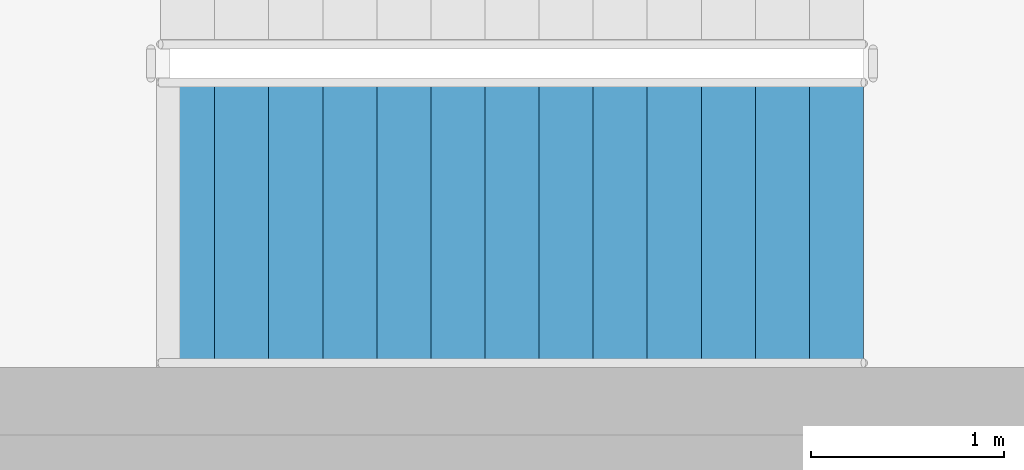
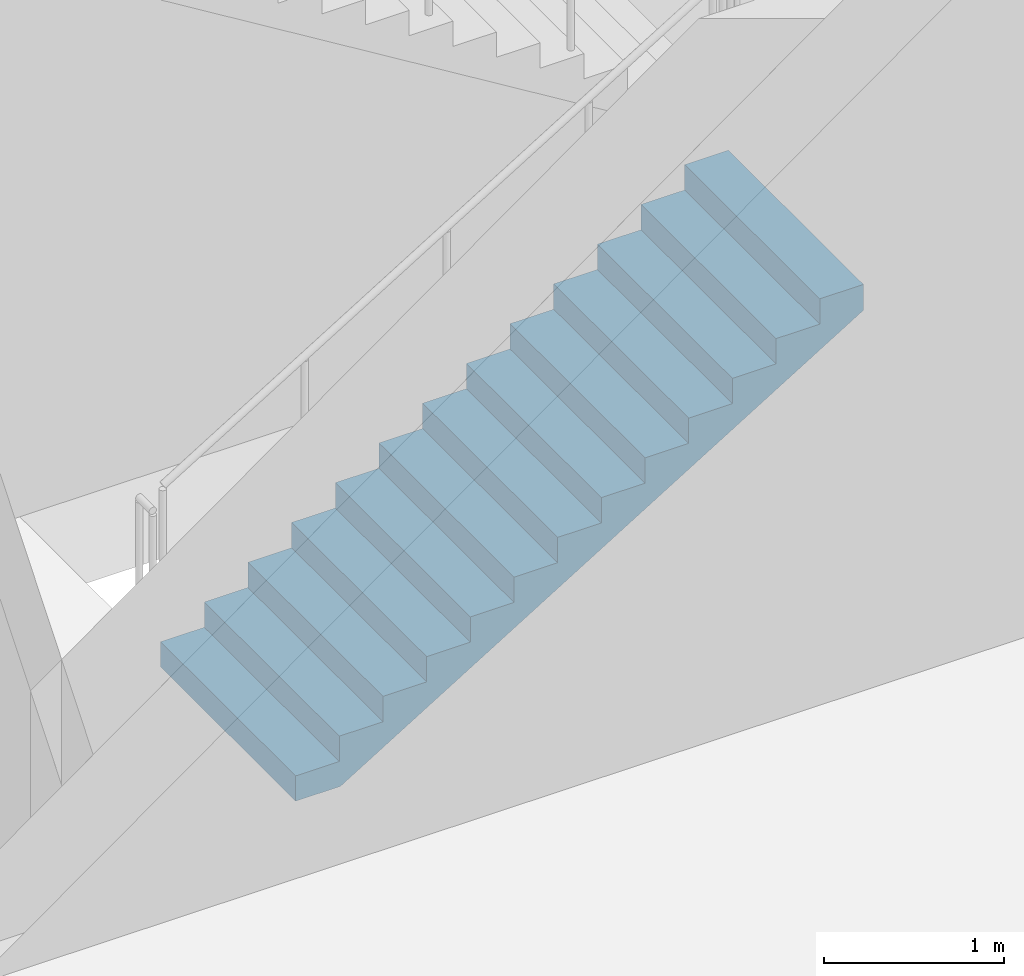
# One storey, part 59 of 91: 1 stair flight, 1 element without a shape of its own.
"""IFC4 building model written with IfcOpenShell, lengths in metres."""

from ifc_helpers import new_model, si_unit, direction, frame, origin, place, context, subcontext, project, spatial, triangles, material, type_object, element, aggregate, save


model = new_model("IFC4")

# Units and contexts
model_context = context("Model", 3, precision=1e-05, world=origin(), true_north=direction((0.0, 1.0)))
body_context = subcontext(model_context, "Body", "Model", "MODEL_VIEW")
ifc_project = project(units=[si_unit("LENGTHUNIT", "METRE"), si_unit("AREAUNIT", "SQUARE_METRE"), si_unit("VOLUMEUNIT", "CUBIC_METRE"), si_unit("PLANEANGLEUNIT", "RADIAN"), si_unit("MASSUNIT", "GRAM", prefix="KILO")], contexts=[model_context])

# Site, building, storey
site_placement = place(None, origin())
site = spatial("IfcSite", under=ifc_project, at=site_placement, CompositionType="ELEMENT")
building_placement = place(site_placement, origin())
building = spatial("IfcBuilding", under=site, at=building_placement, Name="Magnolia Steps Interchange", CompositionType="ELEMENT")
storey_placement = place(building_placement, origin())
storey = spatial("IfcBuildingStorey", under=building, at=storey_placement, Name="L00", CompositionType="ELEMENT", Elevation=0.0)

# Stair, stair flight
ifc_material_1 = material(Name="Concrete C40", Category="concrete")
stair_type = type_object("IfcStairType", Name="Exit stair 1500", PredefinedType="HALF_TURN_STAIR", material=ifc_material_1)
stair_placement = place(storey_placement, origin())
stair = element("IfcStair", 1, at=stair_placement, inside=storey, type_object=stair_type, Name="L00 Stair 8", PredefinedType="HALF_TURN_STAIR")
ifc_material_2 = material(Name="Concrete C40", Category="concrete")
stair_flight_type = type_object("IfcStairFlightType", Name="Exit stair flight", PredefinedType="STRAIGHT", material=ifc_material_2)
stair_flight_placement = place(storey_placement, frame((112.199951171875, 43.64990234375, 0.0), z_axis=(0.0, 0.0, 1.0), x_axis=(1.0, 0.0, 0.0)))
stair_flight = element("IfcStairFlight", 2, at=stair_flight_placement, type_object=stair_flight_type, Name="Stair 8 flight 1", NumberOfRisers=14, NumberOfTreads=13, PredefinedType="STRAIGHT", RiserHeight=0.171428571, TreadLength=0.28, context=body_context, shape_type="Tessellation", body=[
    triangles([(0.0, -0.75, 0.0), (0.287109375, -0.75, 0.0), (3.639892578125, -0.75, 2.052734375), (3.639892578125, -0.75, 2.228515625), (3.360107421875, -0.75, 2.228515625), (3.360107421875, -0.75, 2.05712890625), (3.080078125, -0.75, 2.05712890625), (3.080078125, -0.75, 1.8857421875), (2.800048828125, -0.75, 1.8857421875), (2.800048828125, -0.75, 1.71435546875), (2.52001953125, -0.75, 1.71435546875), (2.52001953125, -0.75, 1.54296875), (2.239990234375, -0.75, 1.54296875), (2.239990234375, -0.75, 1.371337890625), (1.9599609375, -0.75, 1.371337890625), (1.9599609375, -0.75, 1.199951171875), (1.679931640625, -0.75, 1.199951171875), (1.679931640625, -0.75, 1.028564453125), (1.39990234375, -0.75, 1.028564453125), (1.39990234375, -0.75, 0.857177734375), (1.1201171875, -0.75, 0.857177734375), (1.1201171875, -0.75, 0.685791015625), (0.840087890625, -0.75, 0.685791015625), (0.840087890625, -0.75, 0.514404296875), (0.56005859375, -0.75, 0.514404296875), (0.56005859375, -0.75, 0.3427734375), (0.280029296875, -0.75, 0.3427734375), (0.280029296875, -0.75, 0.17138671875), (0.0, -0.75, 0.17138671875), (0.0, 0.75, 0.0), (0.287109375, 0.75, 0.0), (3.639892578125, 0.75, 2.052734375), (3.639892578125, 0.75, 2.228515625), (3.360107421875, 0.75, 2.228515625), (3.360107421875, 0.75, 2.05712890625), (3.080078125, 0.75, 2.05712890625), (3.080078125, 0.75, 1.8857421875), (2.800048828125, 0.75, 1.8857421875), (2.800048828125, 0.75, 1.71435546875), (2.52001953125, 0.75, 1.71435546875), (2.52001953125, 0.75, 1.54296875), (2.239990234375, 0.75, 1.54296875), (2.239990234375, 0.75, 1.371337890625), (1.9599609375, 0.75, 1.371337890625), (1.9599609375, 0.75, 1.199951171875), (1.679931640625, 0.75, 1.199951171875), (1.679931640625, 0.75, 1.028564453125), (1.39990234375, 0.75, 1.028564453125), (1.39990234375, 0.75, 0.857177734375), (1.1201171875, 0.75, 0.857177734375), (1.1201171875, 0.75, 0.685791015625), (0.840087890625, 0.75, 0.685791015625), (0.840087890625, 0.75, 0.514404296875), (0.56005859375, 0.75, 0.514404296875), (0.56005859375, 0.75, 0.3427734375), (0.280029296875, 0.75, 0.3427734375), (0.280029296875, 0.75, 0.17138671875), (0.0, 0.75, 0.17138671875), (0.0, 0.0, 0.0), (0.0, 0.0, 0.0428466796875), (0.0, 0.0, 0.085693359375), (0.0, 0.0, 0.1285400390625), (0.0, 0.0, 0.17138671875), (0.0, -0.05, 0.0), (0.0, -0.05, 0.17138671875), (0.0, 0.05, 0.0), (0.0, 0.05, 0.17138671875), (0.046671549479166664, 0.0, 0.17138671875), (0.09334309895833333, 0.0, 0.17138671875), (0.1400146484375, 0.0, 0.17138671875), (0.18668619791666666, 0.0, 0.17138671875), (0.23335774739583334, 0.0, 0.17138671875), (0.280029296875, 0.0, 0.17138671875), (0.280029296875, -0.05, 0.17138671875), (0.280029296875, 0.05, 0.17138671875), (0.280029296875, 0.0, 0.2142333984375), (0.280029296875, 0.0, 0.257080078125), (0.280029296875, 0.0, 0.2999267578125), (0.280029296875, 0.0, 0.3427734375), (0.280029296875, -0.05, 0.3427734375), (0.280029296875, 0.05, 0.3427734375), (0.3267008463541667, 0.0, 0.3427734375), (0.3733723958333333, 0.0, 0.3427734375), (0.4200439453125, 0.0, 0.3427734375), (0.46671549479166663, 0.0, 0.3427734375), (0.5133870442708334, 0.0, 0.3427734375), (0.56005859375, 0.0, 0.3427734375), (0.56005859375, -0.05, 0.3427734375), (0.56005859375, 0.05, 0.3427734375), (0.56005859375, 0.0, 0.38568115234375), (0.56005859375, 0.0, 0.4285888671875), (0.56005859375, 0.0, 0.47149658203125), (0.56005859375, 0.0, 0.514404296875), (0.56005859375, -0.05, 0.514404296875), (0.56005859375, 0.05, 0.514404296875), (0.6067301432291666, 0.0, 0.514404296875), (0.6534016927083334, 0.0, 0.514404296875), (0.7000732421875, 0.0, 0.514404296875), (0.7467447916666666, 0.0, 0.514404296875), (0.7934163411458334, 0.0, 0.514404296875), (0.840087890625, 0.0, 0.514404296875), (0.840087890625, -0.05, 0.514404296875), (0.840087890625, 0.05, 0.514404296875), (0.840087890625, 0.0, 0.5572509765625), (0.840087890625, 0.0, 0.60009765625), (0.840087890625, 0.0, 0.6429443359375), (0.840087890625, 0.0, 0.685791015625), (0.840087890625, -0.05, 0.685791015625), (0.840087890625, 0.05, 0.685791015625), (0.8867594401041666, 0.0, 0.685791015625), (0.9334309895833334, 0.0, 0.685791015625), (0.9801025390625, 0.0, 0.685791015625), (1.0267740885416667, 0.0, 0.685791015625), (1.0734456380208333, 0.0, 0.685791015625), (1.1201171875, 0.0, 0.685791015625), (1.1201171875, -0.05, 0.685791015625), (1.1201171875, 0.05, 0.685791015625), (1.1201171875, 0.0, 0.7286376953125), (1.1201171875, 0.0, 0.771484375), (1.1201171875, 0.0, 0.8143310546875), (1.1201171875, 0.0, 0.857177734375), (1.1201171875, -0.05, 0.857177734375), (1.1201171875, 0.05, 0.857177734375), (1.1900634765625, 0.0, 0.857177734375), (1.260009765625, 0.0, 0.857177734375), (1.3299560546875, 0.0, 0.857177734375), (1.39990234375, 0.0, 0.857177734375), (1.39990234375, -0.05, 0.857177734375), (1.39990234375, 0.05, 0.857177734375), (1.39990234375, 0.0, 0.9000244140625), (1.39990234375, 0.0, 0.94287109375), (1.39990234375, 0.0, 0.9857177734375), (1.39990234375, 0.0, 1.028564453125), (1.39990234375, -0.05, 1.028564453125), (1.39990234375, 0.05, 1.028564453125), (1.4465738932291667, 0.0, 1.028564453125), (1.4932454427083333, 0.0, 1.028564453125), (1.5399169921875, 0.0, 1.028564453125), (1.5865885416666667, 0.0, 1.028564453125), (1.6332600911458333, 0.0, 1.028564453125), (1.679931640625, 0.0, 1.028564453125), (1.679931640625, -0.05, 1.028564453125), (1.679931640625, 0.05, 1.028564453125), (1.679931640625, 0.0, 1.0714111328125), (1.679931640625, 0.0, 1.1142578125), (1.679931640625, 0.0, 1.1571044921875), (1.679931640625, 0.0, 1.199951171875), (1.679931640625, -0.05, 1.199951171875), (1.679931640625, 0.05, 1.199951171875), (1.7266031901041667, 0.0, 1.199951171875), (1.7732747395833333, 0.0, 1.199951171875), (1.8199462890625, 0.0, 1.199951171875), (1.8666178385416667, 0.0, 1.199951171875), (1.9132893880208333, 0.0, 1.199951171875), (1.9599609375, 0.0, 1.199951171875), (1.9599609375, -0.05, 1.199951171875), (1.9599609375, 0.05, 1.199951171875), (1.9599609375, 0.0, 1.2427978515625), (1.9599609375, 0.0, 1.28564453125), (1.9599609375, 0.0, 1.3284912109375), (1.9599609375, 0.0, 1.371337890625), (1.9599609375, -0.05, 1.371337890625), (1.9599609375, 0.05, 1.371337890625), (2.0066324869791665, 0.0, 1.371337890625), (2.0533040364583335, 0.0, 1.371337890625), (2.0999755859375, 0.0, 1.371337890625), (2.1466471354166665, 0.0, 1.371337890625), (2.1933186848958335, 0.0, 1.371337890625), (2.239990234375, 0.0, 1.371337890625), (2.239990234375, -0.05, 1.371337890625), (2.239990234375, 0.05, 1.371337890625), (2.239990234375, 0.0, 1.41424560546875), (2.239990234375, 0.0, 1.4571533203125), (2.239990234375, 0.0, 1.50006103515625), (2.239990234375, 0.0, 1.54296875), (2.239990234375, -0.05, 1.54296875), (2.239990234375, 0.05, 1.54296875), (2.2866617838541665, 0.0, 1.54296875), (2.3333333333333335, 0.0, 1.54296875), (2.3800048828125, 0.0, 1.54296875), (2.4266764322916665, 0.0, 1.54296875), (2.4733479817708335, 0.0, 1.54296875), (2.52001953125, 0.0, 1.54296875), (2.52001953125, -0.05, 1.54296875), (2.52001953125, 0.05, 1.54296875), (2.52001953125, 0.0, 1.5858154296875), (2.52001953125, 0.0, 1.628662109375), (2.52001953125, 0.0, 1.6715087890625), (2.52001953125, 0.0, 1.71435546875), (2.52001953125, -0.05, 1.71435546875), (2.52001953125, 0.05, 1.71435546875), (2.5666910807291665, 0.0, 1.71435546875), (2.6133626302083335, 0.0, 1.71435546875), (2.6600341796875, 0.0, 1.71435546875), (2.7067057291666665, 0.0, 1.71435546875), (2.7533772786458335, 0.0, 1.71435546875), (2.800048828125, 0.0, 1.71435546875), (2.800048828125, -0.05, 1.71435546875), (2.800048828125, 0.05, 1.71435546875), (2.800048828125, 0.0, 1.7572021484375), (2.800048828125, 0.0, 1.800048828125), (2.800048828125, 0.0, 1.8428955078125), (2.800048828125, 0.0, 1.8857421875), (2.800048828125, -0.05, 1.8857421875), (2.800048828125, 0.05, 1.8857421875), (2.8467203776041665, 0.0, 1.8857421875), (2.8933919270833335, 0.0, 1.8857421875), (2.9400634765625, 0.0, 1.8857421875), (2.9867350260416665, 0.0, 1.8857421875), (3.0334065755208335, 0.0, 1.8857421875), (3.080078125, 0.0, 1.8857421875), (3.080078125, -0.05, 1.8857421875), (3.080078125, 0.05, 1.8857421875), (3.080078125, 0.0, 1.9285888671875), (3.080078125, 0.0, 1.971435546875), (3.080078125, 0.0, 2.0142822265625), (3.080078125, 0.0, 2.05712890625), (3.080078125, -0.05, 2.05712890625), (3.080078125, 0.05, 2.05712890625), (3.1267496744791665, 0.0, 2.05712890625), (3.1734212239583335, 0.0, 2.05712890625), (3.2200927734375, 0.0, 2.05712890625), (3.2667643229166665, 0.0, 2.05712890625), (3.3134358723958335, 0.0, 2.05712890625), (3.360107421875, 0.0, 2.05712890625), (3.360107421875, -0.05, 2.05712890625), (3.360107421875, 0.05, 2.05712890625), (3.360107421875, 0.0, 2.0999755859375), (3.360107421875, 0.0, 2.142822265625), (3.360107421875, 0.0, 2.1856689453125), (3.360107421875, 0.0, 2.228515625), (3.360107421875, -0.05, 2.228515625), (3.360107421875, 0.05, 2.228515625), (3.4300537109375, 0.0, 2.228515625), (3.5, 0.0, 2.228515625), (3.5699462890625, 0.0, 2.228515625), (3.639892578125, 0.0, 2.228515625), (3.639892578125, -0.05, 2.228515625), (3.639892578125, 0.05, 2.228515625), (3.639892578125, 0.0, 2.1845703125), (3.639892578125, 0.0, 2.140625), (3.639892578125, 0.0, 2.0966796875), (3.639892578125, 0.0, 2.052734375), (3.639892578125, -0.05, 2.052734375), (3.639892578125, 0.05, 2.052734375), (3.582085971174569, 0.0, 2.0173424030172415), (3.524279364224138, 0.0, 1.9819504310344827), (3.466472757273707, 0.0, 1.9465584590517242), (3.408666150323276, 0.0, 1.9111664870689655), (3.3508595433728448, 0.0, 1.8757745150862069), (3.2930529364224137, 0.0, 1.8403825431034484), (3.2352463294719827, 0.0, 1.8049905711206897), (3.1774397225215516, 0.0, 1.769598599137931), (3.1196331155711206, 0.0, 1.7342066271551724), (3.0618265086206895, 0.0, 1.6988146551724137), (3.004019901670259, 0.0, 1.6634226831896552), (2.9462132947198274, 0.0, 1.6280307112068966), (2.888406687769397, 0.0, 1.592638739224138), (2.8306000808189653, 0.0, 1.5572467672413794), (2.7727934738685347, 0.0, 1.5218547952586206), (2.714986866918103, 0.0, 1.486462823275862), (2.6571802599676726, 0.0, 1.4510708512931034), (2.599373653017241, 0.0, 1.4156788793103448), (2.5415670460668105, 0.0, 1.3802869073275863), (2.483760439116379, 0.0, 1.3448949353448276), (2.4259538321659484, 0.0, 1.309502963362069), (2.3681472252155173, 0.0, 1.2741109913793105), (2.3103406182650863, 0.0, 1.2387190193965516), (2.2525340113146552, 0.0, 1.2033270474137931), (2.194727404364224, 0.0, 1.1679350754310345), (2.136920797413793, 0.0, 1.1325431034482758), (2.079114190463362, 0.0, 1.0971511314655173), (2.021307583512931, 0.0, 1.0617591594827587), (1.9635009765625, 0.0, 1.0263671875), (1.905694369612069, 0.0, 0.9909752155172413), (1.847887762661638, 0.0, 0.9555832435344827), (1.7900811557112069, 0.0, 0.9201912715517242), (1.7322745487607758, 0.0, 0.8847992995689655), (1.6744679418103448, 0.0, 0.8494073275862069), (1.6166613348599137, 0.0, 0.8140153556034482), (1.5588547279094827, 0.0, 0.7786233836206897), (1.5010481209590516, 0.0, 0.743231411637931), (1.4432415140086206, 0.0, 0.7078394396551724), (1.3854349070581895, 0.0, 0.6724474676724137), (1.3276283001077585, 0.0, 0.6370554956896552), (1.2698216931573274, 0.0, 0.6016635237068966), (1.2120150862068964, 0.0, 0.5662715517241379), (1.1542084792564653, 0.0, 0.5308795797413792), (1.0964018723060347, 0.0, 0.4954876077586208), (1.0385952653556036, 0.0, 0.4600956357758621), (0.9807886584051726, 0.0, 0.4247036637931034), (0.9229820514547415, 0.0, 0.38931169181034475), (0.8651754445043105, 0.0, 0.3539197198275863), (0.8073688375538794, 0.0, 0.3185277478448276), (0.7495622306034484, 0.0, 0.28313577586206895), (0.6917556236530173, 0.0, 0.24774380387931028), (0.6339490167025863, 0.0, 0.21235183189655182), (0.5761424097521552, 0.0, 0.17695985991379315), (0.5183358028017242, 0.0, 0.14156788793103448), (0.46052919585129315, 0.0, 0.1061759159482758), (0.4027225889008621, 0.0, 0.07078394396551735), (0.34491598195043105, 0.0, 0.03539197198275845), (0.287109375, 0.0, 0.0), (0.287109375, -0.05, 0.0), (0.287109375, 0.05, 0.0), (0.2392578125, 0.0, 0.0), (0.19140625, 0.0, 0.0), (0.1435546875, 0.0, 0.0), (0.095703125, 0.0, 0.0), (0.0478515625, 0.0, 0.0)], [[1, 2, 3], [3, 4, 5], [3, 5, 6], [3, 6, 7], [3, 7, 8], [8, 9, 10], [3, 8, 10], [10, 11, 12], [3, 10, 12], [12, 13, 14], [3, 12, 14], [14, 15, 16], [3, 14, 16], [16, 17, 18], [3, 16, 18], [18, 19, 20], [3, 18, 20], [20, 21, 22], [3, 20, 22], [22, 23, 24], [3, 22, 24], [24, 25, 26], [3, 24, 26], [26, 27, 28], [3, 26, 28], [1, 3, 28], [28, 29, 1], [30, 32, 31], [32, 34, 33], [32, 35, 34], [32, 36, 35], [32, 37, 36], [37, 39, 38], [32, 39, 37], [39, 41, 40], [32, 41, 39], [41, 43, 42], [32, 43, 41], [43, 45, 44], [32, 45, 43], [45, 47, 46], [32, 47, 45], [47, 49, 48], [32, 49, 47], [49, 51, 50], [32, 51, 49], [51, 53, 52], [32, 53, 51], [53, 55, 54], [32, 55, 53], [55, 57, 56], [32, 57, 55], [30, 57, 32], [57, 30, 58], [1, 29, 65], [1, 65, 64], [64, 60, 59], [64, 61, 60], [64, 65, 61], [65, 62, 61], [65, 63, 62], [30, 67, 58], [30, 66, 67], [66, 59, 60], [66, 60, 61], [66, 61, 67], [67, 61, 62], [67, 62, 63], [29, 28, 74], [29, 74, 65], [65, 68, 63], [65, 69, 68], [65, 70, 69], [65, 74, 70], [74, 71, 70], [74, 72, 71], [74, 73, 72], [58, 75, 57], [58, 67, 75], [67, 63, 68], [67, 68, 69], [67, 69, 70], [67, 70, 75], [75, 70, 71], [75, 71, 72], [75, 72, 73], [28, 27, 80], [28, 80, 74], [74, 76, 73], [74, 77, 76], [74, 80, 77], [80, 78, 77], [80, 79, 78], [57, 81, 56], [57, 75, 81], [75, 73, 76], [75, 76, 77], [75, 77, 81], [81, 77, 78], [81, 78, 79], [27, 26, 88], [27, 88, 80], [80, 82, 79], [80, 83, 82], [80, 84, 83], [80, 88, 84], [88, 85, 84], [88, 86, 85], [88, 87, 86], [56, 89, 55], [56, 81, 89], [81, 79, 82], [81, 82, 83], [81, 83, 84], [81, 84, 89], [89, 84, 85], [89, 85, 86], [89, 86, 87], [26, 25, 94], [26, 94, 88], [88, 90, 87], [88, 91, 90], [88, 94, 91], [94, 92, 91], [94, 93, 92], [55, 95, 54], [55, 89, 95], [89, 87, 90], [89, 90, 91], [89, 91, 95], [95, 91, 92], [95, 92, 93], [25, 24, 102], [25, 102, 94], [94, 96, 93], [94, 97, 96], [94, 98, 97], [94, 102, 98], [102, 99, 98], [102, 100, 99], [102, 101, 100], [54, 103, 53], [54, 95, 103], [95, 93, 96], [95, 96, 97], [95, 97, 98], [95, 98, 103], [103, 98, 99], [103, 99, 100], [103, 100, 101], [24, 23, 108], [24, 108, 102], [102, 104, 101], [102, 105, 104], [102, 108, 105], [108, 106, 105], [108, 107, 106], [53, 109, 52], [53, 103, 109], [103, 101, 104], [103, 104, 105], [103, 105, 109], [109, 105, 106], [109, 106, 107], [23, 22, 116], [23, 116, 108], [108, 110, 107], [108, 111, 110], [108, 112, 111], [108, 116, 112], [116, 113, 112], [116, 114, 113], [116, 115, 114], [52, 117, 51], [52, 109, 117], [109, 107, 110], [109, 110, 111], [109, 111, 112], [109, 112, 117], [117, 112, 113], [117, 113, 114], [117, 114, 115], [22, 21, 122], [22, 122, 116], [116, 118, 115], [116, 119, 118], [116, 122, 119], [122, 120, 119], [122, 121, 120], [51, 123, 50], [51, 117, 123], [117, 115, 118], [117, 118, 119], [117, 119, 123], [123, 119, 120], [123, 120, 121], [21, 20, 128], [21, 128, 122], [122, 124, 121], [122, 125, 124], [122, 128, 125], [128, 126, 125], [128, 127, 126], [50, 129, 49], [50, 123, 129], [123, 121, 124], [123, 124, 125], [123, 125, 129], [129, 125, 126], [129, 126, 127], [20, 19, 134], [20, 134, 128], [128, 130, 127], [128, 131, 130], [128, 134, 131], [134, 132, 131], [134, 133, 132], [49, 135, 48], [49, 129, 135], [129, 127, 130], [129, 130, 131], [129, 131, 135], [135, 131, 132], [135, 132, 133], [19, 18, 142], [19, 142, 134], [134, 136, 133], [134, 137, 136], [134, 138, 137], [134, 142, 138], [142, 139, 138], [142, 140, 139], [142, 141, 140], [48, 143, 47], [48, 135, 143], [135, 133, 136], [135, 136, 137], [135, 137, 138], [135, 138, 143], [143, 138, 139], [143, 139, 140], [143, 140, 141], [18, 17, 148], [18, 148, 142], [142, 144, 141], [142, 145, 144], [142, 148, 145], [148, 146, 145], [148, 147, 146], [47, 149, 46], [47, 143, 149], [143, 141, 144], [143, 144, 145], [143, 145, 149], [149, 145, 146], [149, 146, 147], [17, 16, 156], [17, 156, 148], [148, 150, 147], [148, 151, 150], [148, 152, 151], [148, 156, 152], [156, 153, 152], [156, 154, 153], [156, 155, 154], [46, 157, 45], [46, 149, 157], [149, 147, 150], [149, 150, 151], [149, 151, 152], [149, 152, 157], [157, 152, 153], [157, 153, 154], [157, 154, 155], [16, 15, 162], [16, 162, 156], [156, 158, 155], [156, 159, 158], [156, 162, 159], [162, 160, 159], [162, 161, 160], [45, 163, 44], [45, 157, 163], [157, 155, 158], [157, 158, 159], [157, 159, 163], [163, 159, 160], [163, 160, 161], [15, 14, 170], [15, 170, 162], [162, 164, 161], [162, 165, 164], [162, 166, 165], [162, 170, 166], [170, 167, 166], [170, 168, 167], [170, 169, 168], [44, 171, 43], [44, 163, 171], [163, 161, 164], [163, 164, 165], [163, 165, 166], [163, 166, 171], [171, 166, 167], [171, 167, 168], [171, 168, 169], [14, 13, 176], [14, 176, 170], [170, 172, 169], [170, 173, 172], [170, 176, 173], [176, 174, 173], [176, 175, 174], [43, 177, 42], [43, 171, 177], [171, 169, 172], [171, 172, 173], [171, 173, 177], [177, 173, 174], [177, 174, 175], [13, 12, 184], [13, 184, 176], [176, 178, 175], [176, 179, 178], [176, 180, 179], [176, 184, 180], [184, 181, 180], [184, 182, 181], [184, 183, 182], [42, 185, 41], [42, 177, 185], [177, 175, 178], [177, 178, 179], [177, 179, 180], [177, 180, 185], [185, 180, 181], [185, 181, 182], [185, 182, 183], [12, 11, 190], [12, 190, 184], [184, 186, 183], [184, 187, 186], [184, 190, 187], [190, 188, 187], [190, 189, 188], [41, 191, 40], [41, 185, 191], [185, 183, 186], [185, 186, 187], [185, 187, 191], [191, 187, 188], [191, 188, 189], [11, 10, 198], [11, 198, 190], [190, 192, 189], [190, 193, 192], [190, 194, 193], [190, 198, 194], [198, 195, 194], [198, 196, 195], [198, 197, 196], [40, 199, 39], [40, 191, 199], [191, 189, 192], [191, 192, 193], [191, 193, 194], [191, 194, 199], [199, 194, 195], [199, 195, 196], [199, 196, 197], [10, 9, 204], [10, 204, 198], [198, 200, 197], [198, 201, 200], [198, 204, 201], [204, 202, 201], [204, 203, 202], [39, 205, 38], [39, 199, 205], [199, 197, 200], [199, 200, 201], [199, 201, 205], [205, 201, 202], [205, 202, 203], [9, 8, 212], [9, 212, 204], [204, 206, 203], [204, 207, 206], [204, 208, 207], [204, 212, 208], [212, 209, 208], [212, 210, 209], [212, 211, 210], [38, 213, 37], [38, 205, 213], [205, 203, 206], [205, 206, 207], [205, 207, 208], [205, 208, 213], [213, 208, 209], [213, 209, 210], [213, 210, 211], [8, 7, 218], [8, 218, 212], [212, 214, 211], [212, 215, 214], [212, 218, 215], [218, 216, 215], [218, 217, 216], [37, 219, 36], [37, 213, 219], [213, 211, 214], [213, 214, 215], [213, 215, 219], [219, 215, 216], [219, 216, 217], [7, 6, 226], [7, 226, 218], [218, 220, 217], [218, 221, 220], [218, 222, 221], [218, 226, 222], [226, 223, 222], [226, 224, 223], [226, 225, 224], [36, 227, 35], [36, 219, 227], [219, 217, 220], [219, 220, 221], [219, 221, 222], [219, 222, 227], [227, 222, 223], [227, 223, 224], [227, 224, 225], [6, 5, 232], [6, 232, 226], [226, 228, 225], [226, 229, 228], [226, 232, 229], [232, 230, 229], [232, 231, 230], [35, 233, 34], [35, 227, 233], [227, 225, 228], [227, 228, 229], [227, 229, 233], [233, 229, 230], [233, 230, 231], [5, 4, 238], [5, 238, 232], [232, 234, 231], [232, 235, 234], [232, 238, 235], [238, 236, 235], [238, 237, 236], [34, 239, 33], [34, 233, 239], [233, 231, 234], [233, 234, 235], [233, 235, 239], [239, 235, 236], [239, 236, 237], [4, 3, 244], [4, 244, 238], [238, 240, 237], [238, 241, 240], [238, 244, 241], [244, 242, 241], [244, 243, 242], [33, 245, 32], [33, 239, 245], [239, 237, 240], [239, 240, 241], [239, 241, 245], [245, 241, 242], [245, 242, 243], [3, 2, 304], [3, 304, 244], [244, 246, 243], [244, 247, 246], [244, 248, 247], [244, 249, 248], [244, 250, 249], [244, 251, 250], [244, 252, 251], [244, 253, 252], [244, 254, 253], [244, 255, 254], [244, 256, 255], [244, 257, 256], [244, 258, 257], [244, 259, 258], [244, 260, 259], [244, 261, 260], [244, 262, 261], [244, 263, 262], [244, 264, 263], [244, 265, 264], [244, 266, 265], [244, 267, 266], [244, 268, 267], [244, 269, 268], [244, 270, 269], [244, 271, 270], [244, 272, 271], [244, 273, 272], [244, 274, 273], [244, 304, 274], [304, 275, 274], [304, 276, 275], [304, 277, 276], [304, 278, 277], [304, 279, 278], [304, 280, 279], [304, 281, 280], [304, 282, 281], [304, 283, 282], [304, 284, 283], [304, 285, 284], [304, 286, 285], [304, 287, 286], [304, 288, 287], [304, 289, 288], [304, 290, 289], [304, 291, 290], [304, 292, 291], [304, 293, 292], [304, 294, 293], [304, 295, 294], [304, 296, 295], [304, 297, 296], [304, 298, 297], [304, 299, 298], [304, 300, 299], [304, 301, 300], [304, 302, 301], [304, 303, 302], [32, 305, 31], [32, 245, 305], [245, 243, 246], [245, 246, 247], [245, 247, 248], [245, 248, 249], [245, 249, 250], [245, 250, 251], [245, 251, 252], [245, 252, 253], [245, 253, 254], [245, 254, 255], [245, 255, 256], [245, 256, 257], [245, 257, 258], [245, 258, 259], [245, 259, 260], [245, 260, 261], [245, 261, 262], [245, 262, 263], [245, 263, 264], [245, 264, 265], [245, 265, 266], [245, 266, 267], [245, 267, 268], [245, 268, 269], [245, 269, 270], [245, 270, 271], [245, 271, 272], [245, 272, 273], [245, 273, 274], [245, 274, 305], [305, 274, 275], [305, 275, 276], [305, 276, 277], [305, 277, 278], [305, 278, 279], [305, 279, 280], [305, 280, 281], [305, 281, 282], [305, 282, 283], [305, 283, 284], [305, 284, 285], [305, 285, 286], [305, 286, 287], [305, 287, 288], [305, 288, 289], [305, 289, 290], [305, 290, 291], [305, 291, 292], [305, 292, 293], [305, 293, 294], [305, 294, 295], [305, 295, 296], [305, 296, 297], [305, 297, 298], [305, 298, 299], [305, 299, 300], [305, 300, 301], [305, 301, 302], [305, 302, 303], [2, 1, 64], [2, 64, 304], [304, 306, 303], [304, 307, 306], [304, 308, 307], [304, 64, 308], [64, 309, 308], [64, 310, 309], [64, 59, 310], [31, 66, 30], [31, 305, 66], [305, 303, 306], [305, 306, 307], [305, 307, 308], [305, 308, 66], [66, 308, 309], [66, 309, 310], [66, 310, 59]], closed=True),
])
aggregate(stair, [stair_flight])

save(model, "model.ifc")
